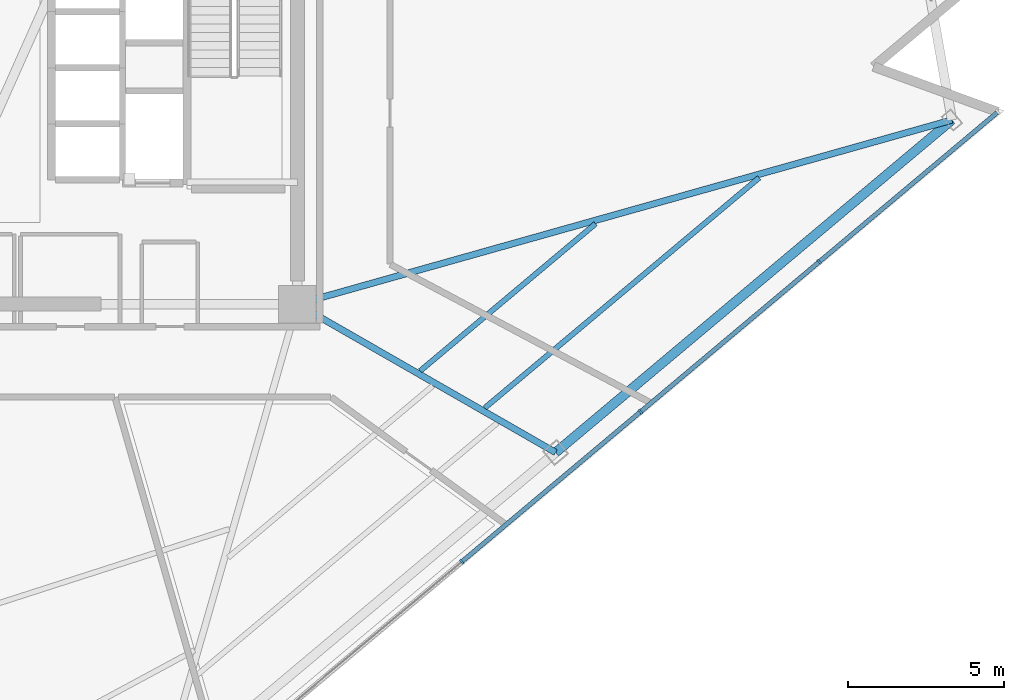
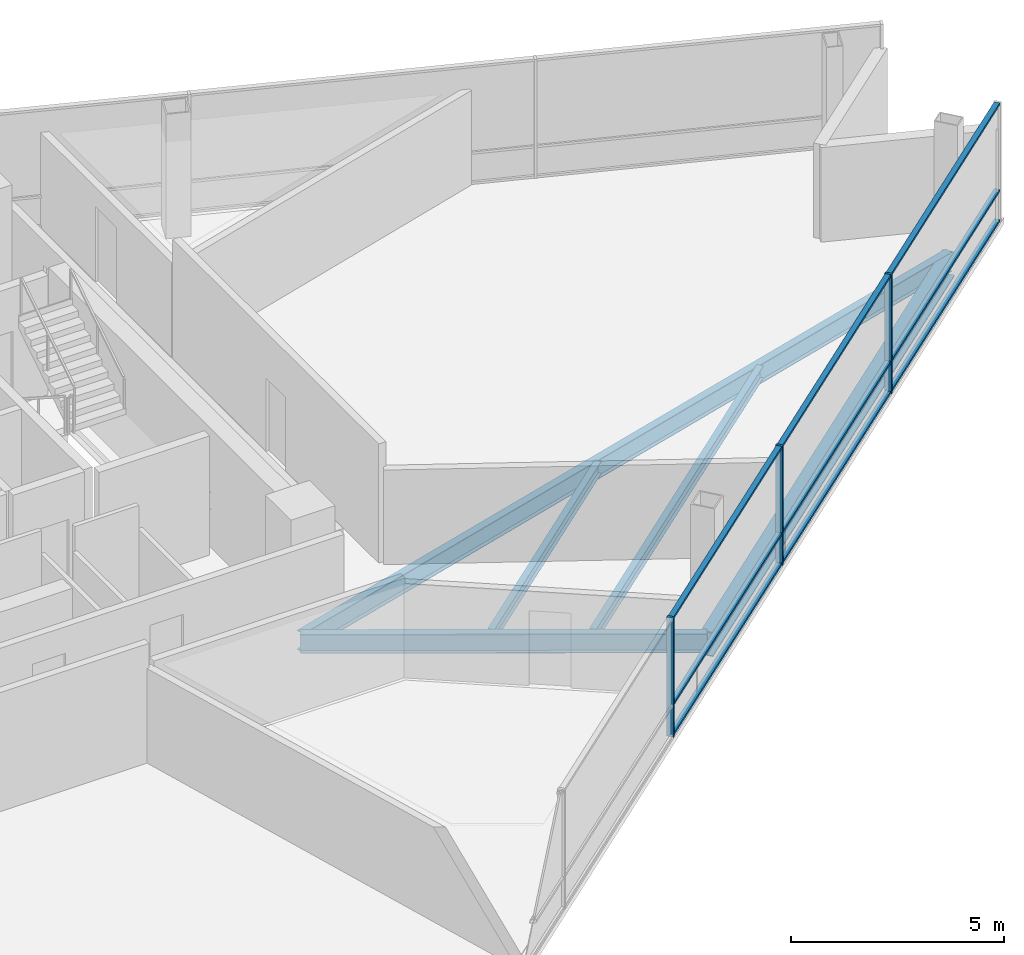
# One storey, part 4 of 15: 12 members, 5 beams, 1 element without a shape of its own.
"""IFC4 building model written with IfcOpenShell, lengths in metres."""

from ifc_helpers import new_model, si_unit, direction, frame, origin, origin_2d, place, context, subcontext, project, spatial, rectangle, i_section, extrude, material, layer, layer_set, material_profile, profile_set, type_object, element, aggregate, save


model = new_model("IFC4")

# Units and contexts
model_context = context("Model", 3, precision=1e-05, world=origin(), true_north=direction((0.0, 1.0)))
body_context = subcontext(model_context, "Body", "Model", "MODEL_VIEW")
ifc_project = project(units=[si_unit("LENGTHUNIT", "METRE"), si_unit("AREAUNIT", "SQUARE_METRE"), si_unit("VOLUMEUNIT", "CUBIC_METRE"), si_unit("PLANEANGLEUNIT", "RADIAN"), si_unit("MASSUNIT", "GRAM", prefix="KILO")], contexts=[model_context])

# Site, building, storey
site_placement = place(None, origin())
site = spatial("IfcSite", under=ifc_project, at=site_placement, CompositionType="ELEMENT")
building_placement = place(site_placement, origin())
building = spatial("IfcBuilding", under=site, at=building_placement, Name="Tharavind Bronze Gate", CompositionType="ELEMENT")
storey_placement = place(building_placement, frame((0.0, 0.0, 174.10009765625)))
storey = spatial("IfcBuildingStorey", under=building, at=storey_placement, Name="L44", CompositionType="ELEMENT", Elevation=174.10009765625)

# Curtain wall, members
ifc_material_1 = material(Name="Anodised Bronze Aluminium", Category="aluminium")
ifc_layer = layer(ifc_material_1, 0.219970703125)
ifc_layer_set = layer_set([ifc_layer], Name="Anodised Bronze Aluminium")
curtain_wall_type = type_object("IfcCurtainWallType", Name="UNITISED CURTAIN WALL MID OFFICE", PredefinedType="USERDEFINED", material=ifc_layer_set)
curtain_wall_placement = place(storey_placement, origin())
curtain_wall = element("IfcCurtainWall", 1, at=curtain_wall_placement, inside=storey, type_object=curtain_wall_type, Name="L44 unitised curtain wall mid office CW-L44-S2", ObjectType="UNITISED CURTAIN WALL", PredefinedType="USERDEFINED")
member_type_1 = type_object("IfcMemberType", Name="CURTAIN WALL BRONZE MULLION 65X180", PredefinedType="MULLION", material=ifc_material_1)
member_1_placement = place(storey_placement, frame((14.18408203125, -15.873291015625, 0.0), z_axis=(0.0, 0.0, 1.0), x_axis=(0.766043321242, 0.642788946685, 0.0)))
member_1 = element("IfcMember", 2, at=member_1_placement, type_object=member_type_1, Name="CW-L44-S2 mullion 5", PredefinedType="MULLION", context=body_context, shape_type="SweptSolid", body=[
    extrude(rectangle(XDim=0.06494140625, YDim=0.179931640625, at=origin_2d()), origin(), (0.0, 0.0, 1.0), 3.419921875),
])
member_2_placement = place(storey_placement, frame((19.926513671875, -11.0546875, 0.0), z_axis=(0.0, 0.0, 1.0), x_axis=(0.766043321242, 0.642788946685, 0.0)))
member_2 = element("IfcMember", 3, at=member_2_placement, type_object=member_type_1, Name="CW-L44-S2 mullion 6", PredefinedType="MULLION", context=body_context, shape_type="SweptSolid", body=[
    extrude(rectangle(XDim=0.06494140625, YDim=0.179931640625, at=origin_2d()), origin(), (0.0, 0.0, 1.0), 3.419921875),
])
member_3_placement = place(storey_placement, frame((25.668701171875, -6.236572265625, 0.0), z_axis=(0.0, 0.0, 1.0), x_axis=(0.766043321242, 0.642788946685, 0.0)))
member_3 = element("IfcMember", 4, at=member_3_placement, type_object=member_type_1, Name="CW-L44-S2 mullion 7", PredefinedType="MULLION", context=body_context, shape_type="SweptSolid", body=[
    extrude(rectangle(XDim=0.06494140625, YDim=0.179931640625, at=origin_2d()), origin(), (0.0, 0.0, 1.0), 3.419921875),
])
member_type_2 = type_object("IfcMemberType", Name="CURTAIN WALL BRONZE TRANSOM 65X140", PredefinedType="USERDEFINED", material=ifc_material_1)
member_4_placement = place(storey_placement, frame((17.055419921875, -13.464111328125, 0.0), z_axis=(0.0, 0.0, 1.0), x_axis=(0.766043321242, 0.642788946685, 0.0)))
member_4 = element("IfcMember", 5, at=member_4_placement, type_object=member_type_2, Name="CW-L44-S2 transom TB5", ObjectType="TRANSOM", PredefinedType="USERDEFINED", context=body_context, shape_type="SweptSolid", body=[
    extrude(rectangle(XDim=7.443115234375, YDim=0.139892578125, at=origin_2d()), origin(), (0.0, 0.0, 1.0), 0.06494140625),
])
member_5_placement = place(storey_placement, frame((17.055419921875, -13.464111328125, 0.867431640625), z_axis=(0.0, 0.0, 1.0), x_axis=(0.766043321242, 0.642788946685, 0.0)))
member_5 = element("IfcMember", 6, at=member_5_placement, type_object=member_type_2, Name="CW-L44-S2 transom TS5", ObjectType="TRANSOM", PredefinedType="USERDEFINED", context=body_context, shape_type="SweptSolid", body=[
    extrude(rectangle(XDim=7.443115234375, YDim=0.139892578125, at=origin_2d()), origin(), (0.0, 0.0, 1.0), 0.06494140625),
])
member_6_placement = place(storey_placement, frame((17.055419921875, -13.464111328125, 3.35498046875), z_axis=(0.0, 0.0, 1.0), x_axis=(0.766043321242, 0.642788946685, 0.0)))
member_6 = element("IfcMember", 7, at=member_6_placement, type_object=member_type_2, Name="CW-L44-S2 transom TT5", ObjectType="TRANSOM", PredefinedType="USERDEFINED", context=body_context, shape_type="SweptSolid", body=[
    extrude(rectangle(XDim=7.443115234375, YDim=0.139892578125, at=origin_2d()), origin(), (0.0, 0.0, 1.0), 0.06494140625),
])
member_7_placement = place(storey_placement, frame((22.797607421875, -8.645751953125, 0.0), z_axis=(0.0, 0.0, 1.0), x_axis=(0.766043321242, 0.642788946685, 0.0)))
member_7 = element("IfcMember", 8, at=member_7_placement, type_object=member_type_2, Name="CW-L44-S2 transom TB6", ObjectType="TRANSOM", PredefinedType="USERDEFINED", context=body_context, shape_type="SweptSolid", body=[
    extrude(rectangle(XDim=7.443115234375, YDim=0.139892578125, at=origin_2d()), origin(), (0.0, 0.0, 1.0), 0.06494140625),
])
member_8_placement = place(storey_placement, frame((22.797607421875, -8.645751953125, 0.867431640625), z_axis=(0.0, 0.0, 1.0), x_axis=(0.766043321242, 0.642788946685, 0.0)))
member_8 = element("IfcMember", 9, at=member_8_placement, type_object=member_type_2, Name="CW-L44-S2 transom TS6", ObjectType="TRANSOM", PredefinedType="USERDEFINED", context=body_context, shape_type="SweptSolid", body=[
    extrude(rectangle(XDim=7.443115234375, YDim=0.139892578125, at=origin_2d()), origin(), (0.0, 0.0, 1.0), 0.06494140625),
])
member_9_placement = place(storey_placement, frame((22.797607421875, -8.645751953125, 3.35498046875), z_axis=(0.0, 0.0, 1.0), x_axis=(0.766043321242, 0.642788946685, 0.0)))
member_9 = element("IfcMember", 10, at=member_9_placement, type_object=member_type_2, Name="CW-L44-S2 transom TT6", ObjectType="TRANSOM", PredefinedType="USERDEFINED", context=body_context, shape_type="SweptSolid", body=[
    extrude(rectangle(XDim=7.443115234375, YDim=0.139892578125, at=origin_2d()), origin(), (0.0, 0.0, 1.0), 0.06494140625),
])
member_10_placement = place(storey_placement, frame((28.539794921875, -3.827392578125, 0.0), z_axis=(0.0, 0.0, 1.0), x_axis=(0.766043321242, 0.642788946685, 0.0)))
member_10 = element("IfcMember", 11, at=member_10_placement, type_object=member_type_2, Name="CW-L44-S2 transom TB7", ObjectType="TRANSOM", PredefinedType="USERDEFINED", context=body_context, shape_type="SweptSolid", body=[
    extrude(rectangle(XDim=7.443115234375, YDim=0.139892578125, at=origin_2d()), origin(), (0.0, 0.0, 1.0), 0.06494140625),
])
member_11_placement = place(storey_placement, frame((28.539794921875, -3.827392578125, 0.867431640625), z_axis=(0.0, 0.0, 1.0), x_axis=(0.766043321242, 0.642788946685, 0.0)))
member_11 = element("IfcMember", 12, at=member_11_placement, type_object=member_type_2, Name="CW-L44-S2 transom TS7", ObjectType="TRANSOM", PredefinedType="USERDEFINED", context=body_context, shape_type="SweptSolid", body=[
    extrude(rectangle(XDim=7.443115234375, YDim=0.139892578125, at=origin_2d()), origin(), (0.0, 0.0, 1.0), 0.06494140625),
])
member_12_placement = place(storey_placement, frame((28.539794921875, -3.827392578125, 3.35498046875), z_axis=(0.0, 0.0, 1.0), x_axis=(0.766043321242, 0.642788946685, 0.0)))
member_12 = element("IfcMember", 13, at=member_12_placement, type_object=member_type_2, Name="CW-L44-S2 transom TT7", ObjectType="TRANSOM", PredefinedType="USERDEFINED", context=body_context, shape_type="SweptSolid", body=[
    extrude(rectangle(XDim=7.443115234375, YDim=0.139892578125, at=origin_2d()), origin(), (0.0, 0.0, 1.0), 0.06494140625),
])
aggregate(curtain_wall, [member_1, member_2, member_3, member_4, member_5, member_6, member_7, member_8, member_9, member_10, member_11, member_12])

# Beams
ifc_material_2 = material(Name="Steel S355", Category="steel")
ifc_material_profile_1 = material_profile(ifc_material_2, i_section(OverallWidth=0.2099609375, OverallDepth=0.550048828125, WebThickness=0.010986328125, FlangeThickness=0.01708984375, at=origin_2d()), Name="IPE550")
ifc_profile_set_1 = profile_set([ifc_material_profile_1], Name="Steel S355")
beam_type_1 = type_object("IfcBeamType", Name="PRIMARY GIRDER IPE550", PredefinedType="USERDEFINED", material=ifc_profile_set_1)
beam_1_placement = place(storey_placement, frame((17.198486328125, -12.36474609375, -0.455078125), z_axis=(-0.867223923142, 0.497918333796, 0.0), x_axis=(-0.497918333796, -0.867223923142, 0.0)))
element("IfcBeam", 14, at=beam_1_placement, inside=storey, type_object=beam_type_1, Name="L44 primary girder ipe550 BM-L44-RAD07", ObjectType="GIRDER", PredefinedType="USERDEFINED", context=body_context, shape_type="SweptSolid", body=[
    extrude(i_section(OverallWidth=0.2099609375, OverallDepth=0.550048828125, WebThickness=0.010986328125, FlangeThickness=0.01708984375, at=origin_2d()), origin(), (0.0, 0.0, 1.0), 9.569091796875),
])
beam_2_placement = place(storey_placement, frame((29.933837890625, -1.6787109375, -0.455078125), z_axis=(-0.962584208387, -0.270982733332, 0.0), x_axis=(0.270982733332, -0.962584208387, 0.0)))
element("IfcBeam", 15, at=beam_2_placement, inside=storey, type_object=beam_type_1, Name="L44 primary girder ipe550 BM-L44-RAD08", ObjectType="GIRDER", PredefinedType="USERDEFINED", context=body_context, shape_type="SweptSolid", body=[
    extrude(i_section(OverallWidth=0.2099609375, OverallDepth=0.550048828125, WebThickness=0.010986328125, FlangeThickness=0.01708984375, at=origin_2d()), origin(), (0.0, 0.0, 1.0), 21.8515625),
])
ifc_material_profile_2 = material_profile(ifc_material_2, i_section(OverallWidth=0.300048828125, OverallDepth=0.699951171875, WebThickness=0.01708984375, FlangeThickness=0.031982421875, at=origin_2d()), Name="HE700B")
ifc_profile_set_2 = profile_set([ifc_material_profile_2], Name="Steel S355")
beam_type_2 = type_object("IfcBeamType", Name="RING GIRDER HE700B", PredefinedType="USERDEFINED", material=ifc_profile_set_2)
beam_3_placement = place(storey_placement, frame((17.198486328125, -12.36474609375, -0.530029296875), z_axis=(0.766050178558, 0.642780774394, 0.0), x_axis=(-0.642780774394, 0.766050178558, 0.0)))
element("IfcBeam", 16, at=beam_3_placement, inside=storey, type_object=beam_type_2, Name="L44 ring girder he700b BM-L44-PRG07", ObjectType="GIRDER", PredefinedType="USERDEFINED", context=body_context, shape_type="SweptSolid", body=[
    extrude(i_section(OverallWidth=0.300048828125, OverallDepth=0.699951171875, WebThickness=0.01708984375, FlangeThickness=0.031982421875, at=origin_2d()), origin(), (0.0, 0.0, 1.0), 16.624755859375),
])
ifc_material_profile_3 = material_profile(ifc_material_2, i_section(OverallWidth=0.169921875, OverallDepth=0.360107421875, WebThickness=0.008056640625, FlangeThickness=0.0126953125, at=origin_2d()), Name="IPE360")
ifc_profile_set_3 = profile_set([ifc_material_profile_3], Name="Steel S355")
beam_type_3 = type_object("IfcBeamType", Name="SECONDARY FLOOR JOIST IPE360", PredefinedType="JOIST", material=ifc_profile_set_3)
beam_4_placement = place(storey_placement, frame((12.84765625, -9.7412109375, -0.360107421875), z_axis=(0.76602387, 0.642812126979, 0.0), x_axis=(-0.642812126979, 0.76602387, 0.0)))
element("IfcBeam", 17, at=beam_4_placement, inside=storey, type_object=beam_type_3, Name="L44 secondary floor joist ipe360 BM-L44-JSTA07", PredefinedType="JOIST", context=body_context, shape_type="SweptSolid", body=[
    extrude(i_section(OverallWidth=0.169921875, OverallDepth=0.360107421875, WebThickness=0.008056640625, FlangeThickness=0.0126953125, at=origin_2d()), origin(), (0.0, 0.0, 1.0), 7.355224609375),
])
beam_5_placement = place(storey_placement, frame((14.922119140625, -10.932373046875, -0.360107421875), z_axis=(0.766047353374, 0.642784141364, 0.0), x_axis=(-0.642784141364, 0.766047353374, 0.0)))
element("IfcBeam", 18, at=beam_5_placement, inside=storey, type_object=beam_type_3, Name="L44 secondary floor joist ipe360 BM-L44-JSTB07", PredefinedType="JOIST", context=body_context, shape_type="SweptSolid", body=[
    extrude(i_section(OverallWidth=0.169921875, OverallDepth=0.360107421875, WebThickness=0.008056640625, FlangeThickness=0.0126953125, at=origin_2d()), origin(), (0.0, 0.0, 1.0), 11.511474609375),
])

save(model, "model.ifc")
